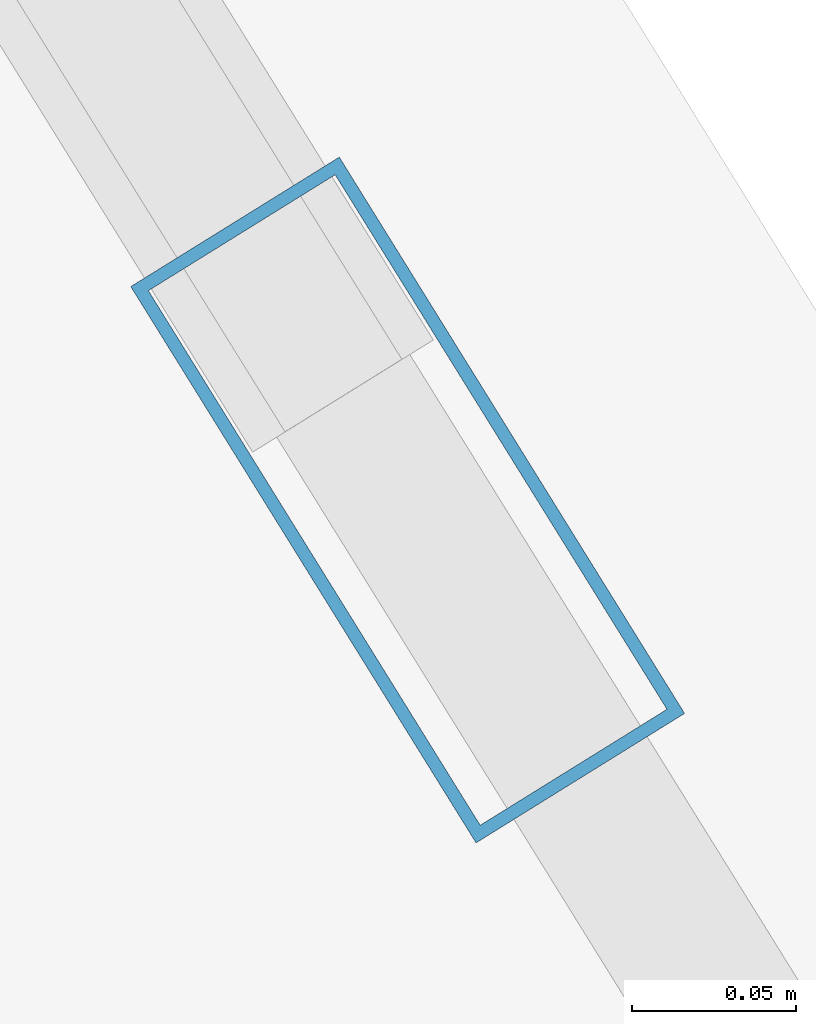
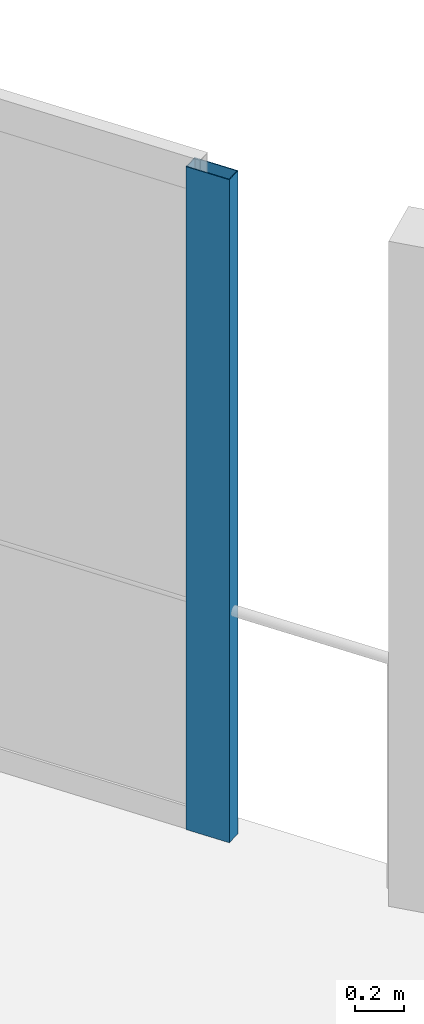
# One storey, part 16 of 24: 1 member, 1 element without a shape of its own.
"""IFC4 building model written with IfcOpenShell, lengths in metres."""

from ifc_helpers import new_model, si_unit, direction, frame, origin, origin_2d, place, context, subcontext, project, spatial, hollow_rectangle, extrude, material, layer, layer_set, material_profile, profile_set, type_object, element, aggregate, save


model = new_model("IFC4")

# Units and contexts
model_context = context("Model", 3, precision=1e-05, world=origin(), true_north=direction((0.0, 1.0)))
body_context = subcontext(model_context, "Body", "Model", "MODEL_VIEW")
ifc_project = project(units=[si_unit("LENGTHUNIT", "METRE"), si_unit("AREAUNIT", "SQUARE_METRE"), si_unit("VOLUMEUNIT", "CUBIC_METRE"), si_unit("PLANEANGLEUNIT", "RADIAN"), si_unit("MASSUNIT", "GRAM", prefix="KILO")], contexts=[model_context])

# Site, building, storey
site_placement = place(None, origin())
site = spatial("IfcSite", under=ifc_project, at=site_placement, CompositionType="ELEMENT")
building_placement = place(site_placement, origin())
building = spatial("IfcBuilding", under=site, at=building_placement, Name="Solvane Sanctuary Tower", CompositionType="ELEMENT")
storey_placement = place(building_placement, frame((0.0, 0.0, 253.199951171875)))
storey = spatial("IfcBuildingStorey", under=building, at=storey_placement, Name="L77", CompositionType="ELEMENT", Elevation=253.199951171875)

# Curtain wall, member
ifc_material = material(Name="Anodised Aluminium 6063-T6", Category="aluminium")
ifc_layer = layer(ifc_material, 0.18994140625, Name="Anodised Aluminium 6063-T6")
ifc_layer_set = layer_set([ifc_layer], Name="Anodised Aluminium 6063-T6")
curtain_wall_type = type_object("IfcCurtainWallType", Name="Curtain Wall CW-OPER", PredefinedType="NOTDEFINED", material=ifc_layer_set)
curtain_wall_placement = place(storey_placement, origin())
curtain_wall = element("IfcCurtainWall", 1, at=curtain_wall_placement, inside=storey, type_object=curtain_wall_type, Name="L77 CW-OPER Facade Run 04", PredefinedType="NOTDEFINED")
ifc_material_profile = material_profile(ifc_material, hollow_rectangle(XDim=0.074951171875, YDim=0.199951171875, WallThickness=0.00390625, at=origin_2d()), Name="ALU200X75X4")
ifc_profile_set = profile_set([ifc_material_profile], Name="Anodised Aluminium 6063-T6")
member_type = type_object("IfcMemberType", Name="Member M-CW-MUL-1 ALU200X75X4", PredefinedType="MULLION", material=ifc_profile_set)
member_placement = place(storey_placement, frame((43.417724609375, 39.398681640625, 0.0), z_axis=(0.0, 0.0, 1.0), x_axis=(-0.849622273102, -0.527391688453, 0.0)))
member = element("IfcMember", 2, at=member_placement, type_object=member_type, Name="CW-OPER mullion 1", PredefinedType="MULLION", context=body_context, shape_type="SweptSolid", body=[
    extrude(hollow_rectangle(XDim=0.074951171875, YDim=0.199951171875, WallThickness=0.00390625, at=origin_2d()), origin(), (0.0, 0.0, 1.0), 3.280029296875),
])
aggregate(curtain_wall, [member])

save(model, "model.ifc")
